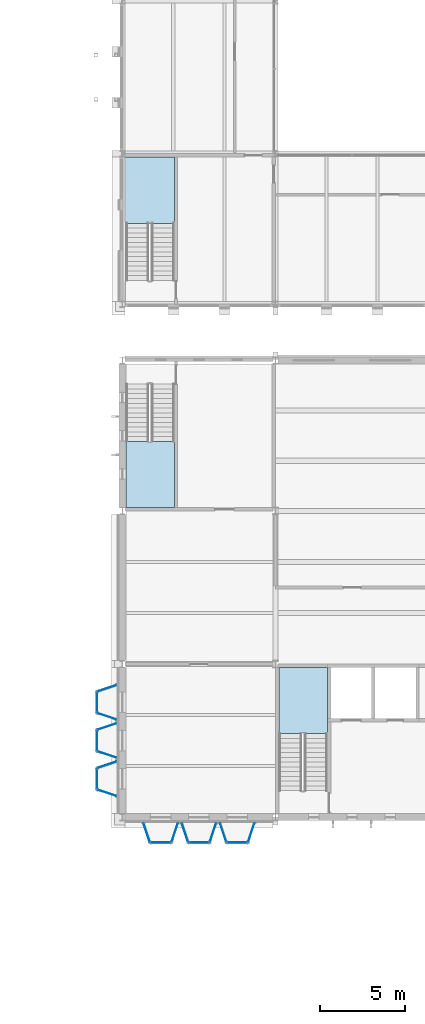
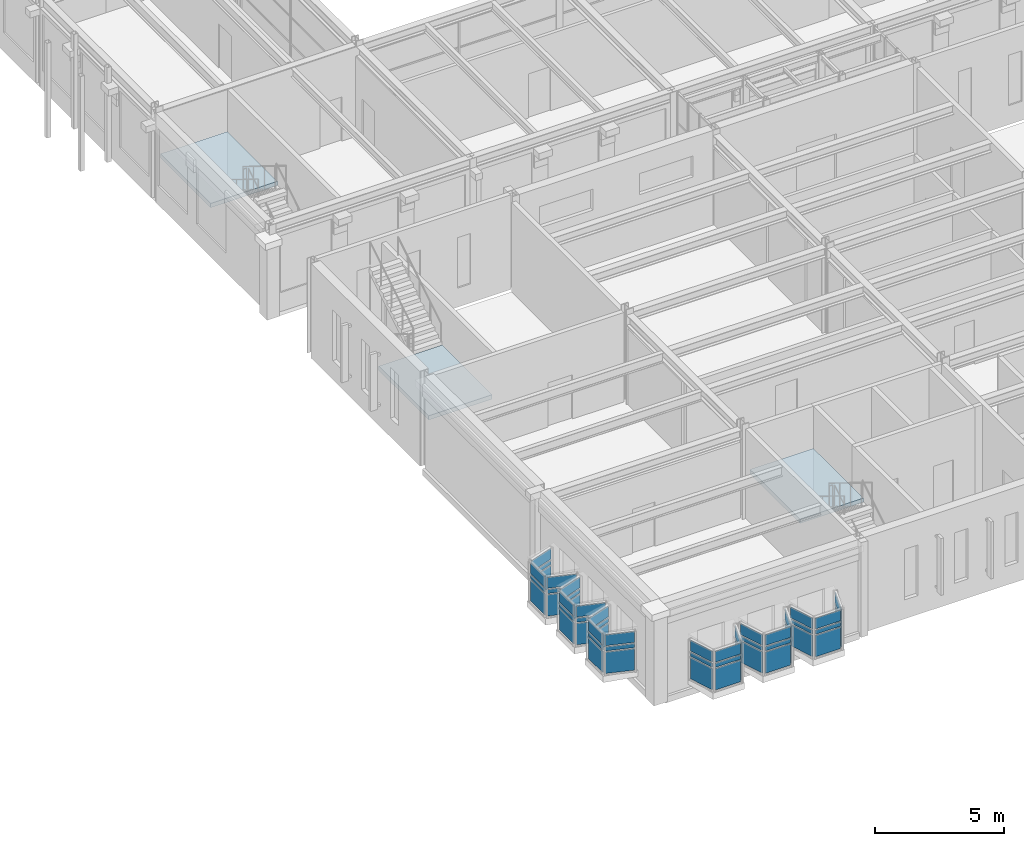
# One storey, part 82 of 153: 54 plates, 3 slabs, 21 elements without a shape of their own.
"""IFC4 building model written with IfcOpenShell, lengths in metres."""

from ifc_helpers import new_model, si_unit, direction, frame, origin, origin_2d, place, context, subcontext, project, spatial, polyline, rectangle, outline, extrude, material, layer, layer_set, type_object, element, aggregate, save


model = new_model("IFC4")

# Units and contexts
model_context = context("Model", 3, precision=1e-05, world=origin(), true_north=direction((0.0, 1.0)))
body_context = subcontext(model_context, "Body", "Model", "MODEL_VIEW")
ifc_project = project(units=[si_unit("LENGTHUNIT", "METRE"), si_unit("AREAUNIT", "SQUARE_METRE"), si_unit("VOLUMEUNIT", "CUBIC_METRE"), si_unit("PLANEANGLEUNIT", "RADIAN"), si_unit("MASSUNIT", "GRAM", prefix="KILO")], contexts=[model_context])

# Site, building, storey
site_placement = place(None, origin())
site = spatial("IfcSite", under=ifc_project, at=site_placement, CompositionType="ELEMENT")
building_placement = place(site_placement, origin())
building = spatial("IfcBuilding", under=site, at=building_placement, Name="Kallimachos Central Library", CompositionType="ELEMENT")
storey_placement = place(building_placement, frame((0.0, 0.0, 5.39990234375)))
storey = spatial("IfcBuildingStorey", under=building, at=storey_placement, Name="L01", CompositionType="ELEMENT", Elevation=5.39990234375)

# Curtain wall, plates
ifc_material_1 = material(Name="Laminated glass in anodised aluminium", Category="aluminium")
curtain_wall_type = type_object("IfcCurtainWallType", Name="Foyer curtain wall", PredefinedType="NOTDEFINED", material=ifc_material_1)
curtain_wall_1_placement = place(storey_placement, origin())
curtain_wall_1 = element("IfcCurtainWall", 1, at=curtain_wall_1_placement, inside=storey, type_object=curtain_wall_type, Name="Tribune bay return west", PredefinedType="NOTDEFINED")
ifc_material_2 = material(Name="Laminated glass", Category="glass")
ifc_layer_1 = layer(ifc_material_2, 0.028076171875)
ifc_layer_set_1 = layer_set([ifc_layer_1], Name="Curtain wall glass panel 28")
plate_type = type_object("IfcPlateType", Name="Curtain wall glass panel 28", PredefinedType="CURTAIN_PANEL", material=ifc_layer_set_1)
plate_1_placement = place(storey_placement, frame((66.925048828125, 17.10009765625, 0.66015625), z_axis=(0.0, 0.0, 1.0), x_axis=(0.316227766018, -0.94868329805, 0.0)))
plate_1 = element("IfcPlate", 2, at=plate_1_placement, type_object=plate_type, Name="CW panel 1.1", PredefinedType="CURTAIN_PANEL", context=body_context, shape_type="SweptSolid", body=[
    extrude(rectangle(XDim=1.14501953125, YDim=0.028076171875, at=origin_2d()), origin(), (0.0, 0.0, 1.0), 1.010009765625),
])
plate_2_placement = place(storey_placement, frame((66.925048828125, 17.10009765625, 1.730224609375), z_axis=(0.0, 0.0, 1.0), x_axis=(0.316227766018, -0.94868329805, 0.0)))
plate_2 = element("IfcPlate", 3, at=plate_2_placement, type_object=plate_type, Name="CW panel 1.2", PredefinedType="CURTAIN_PANEL", context=body_context, shape_type="SweptSolid", body=[
    extrude(rectangle(XDim=1.14501953125, YDim=0.028076171875, at=origin_2d()), origin(), (0.0, 0.0, 1.0), 0.18994140625),
])
plate_3_placement = place(storey_placement, frame((66.925048828125, 17.10009765625, 1.97998046875), z_axis=(0.0, 0.0, 1.0), x_axis=(0.316227766018, -0.94868329805, 0.0)))
plate_3 = element("IfcPlate", 4, at=plate_3_placement, type_object=plate_type, Name="CW panel 1.3", PredefinedType="CURTAIN_PANEL", context=body_context, shape_type="SweptSolid", body=[
    extrude(rectangle(XDim=1.14501953125, YDim=0.028076171875, at=origin_2d()), origin(), (0.0, 0.0, 1.0), 0.510009765625),
])
aggregate(curtain_wall_1, [plate_1, plate_2, plate_3])

curtain_wall_2_placement = place(storey_placement, origin())
curtain_wall_2 = element("IfcCurtainWall", 5, at=curtain_wall_2_placement, inside=storey, type_object=curtain_wall_type, Name="Tribune bay front", PredefinedType="NOTDEFINED")
plate_4_placement = place(storey_placement, frame((67.75, 16.5, 0.66015625), z_axis=(0.0, 0.0, 1.0), x_axis=(1.0, 0.0, 0.0)))
plate_4 = element("IfcPlate", 6, at=plate_4_placement, type_object=plate_type, Name="CW panel 1.1", PredefinedType="CURTAIN_PANEL", context=body_context, shape_type="SweptSolid", body=[
    extrude(rectangle(XDim=1.1298828125, YDim=0.028076171875, at=origin_2d()), origin(), (0.0, 0.0, 1.0), 1.010009765625),
])
plate_5_placement = place(storey_placement, frame((67.75, 16.5, 1.730224609375), z_axis=(0.0, 0.0, 1.0), x_axis=(1.0, 0.0, 0.0)))
plate_5 = element("IfcPlate", 7, at=plate_5_placement, type_object=plate_type, Name="CW panel 1.2", PredefinedType="CURTAIN_PANEL", context=body_context, shape_type="SweptSolid", body=[
    extrude(rectangle(XDim=1.1298828125, YDim=0.028076171875, at=origin_2d()), origin(), (0.0, 0.0, 1.0), 0.18994140625),
])
plate_6_placement = place(storey_placement, frame((67.75, 16.5, 1.97998046875), z_axis=(0.0, 0.0, 1.0), x_axis=(1.0, 0.0, 0.0)))
plate_6 = element("IfcPlate", 8, at=plate_6_placement, type_object=plate_type, Name="CW panel 1.3", PredefinedType="CURTAIN_PANEL", context=body_context, shape_type="SweptSolid", body=[
    extrude(rectangle(XDim=1.1298828125, YDim=0.028076171875, at=origin_2d()), origin(), (0.0, 0.0, 1.0), 0.510009765625),
])
aggregate(curtain_wall_2, [plate_4, plate_5, plate_6])

curtain_wall_3_placement = place(storey_placement, origin())
curtain_wall_3 = element("IfcCurtainWall", 9, at=curtain_wall_3_placement, inside=storey, type_object=curtain_wall_type, Name="Tribune bay return east", PredefinedType="NOTDEFINED")
plate_7_placement = place(storey_placement, frame((68.574951171875, 17.10009765625, 0.66015625), z_axis=(0.0, 0.0, 1.0), x_axis=(0.316227766018, 0.94868329805, 0.0)))
plate_7 = element("IfcPlate", 10, at=plate_7_placement, type_object=plate_type, Name="CW panel 1.1", PredefinedType="CURTAIN_PANEL", context=body_context, shape_type="SweptSolid", body=[
    extrude(rectangle(XDim=1.14501953125, YDim=0.028076171875, at=origin_2d()), origin(), (0.0, 0.0, 1.0), 1.010009765625),
])
plate_8_placement = place(storey_placement, frame((68.574951171875, 17.10009765625, 1.730224609375), z_axis=(0.0, 0.0, 1.0), x_axis=(0.316227766018, 0.94868329805, 0.0)))
plate_8 = element("IfcPlate", 11, at=plate_8_placement, type_object=plate_type, Name="CW panel 1.2", PredefinedType="CURTAIN_PANEL", context=body_context, shape_type="SweptSolid", body=[
    extrude(rectangle(XDim=1.14501953125, YDim=0.028076171875, at=origin_2d()), origin(), (0.0, 0.0, 1.0), 0.18994140625),
])
plate_9_placement = place(storey_placement, frame((68.574951171875, 17.10009765625, 1.97998046875), z_axis=(0.0, 0.0, 1.0), x_axis=(0.316227766018, 0.94868329805, 0.0)))
plate_9 = element("IfcPlate", 12, at=plate_9_placement, type_object=plate_type, Name="CW panel 1.3", PredefinedType="CURTAIN_PANEL", context=body_context, shape_type="SweptSolid", body=[
    extrude(rectangle(XDim=1.14501953125, YDim=0.028076171875, at=origin_2d()), origin(), (0.0, 0.0, 1.0), 0.510009765625),
])
aggregate(curtain_wall_3, [plate_7, plate_8, plate_9])

curtain_wall_4_placement = place(storey_placement, origin())
curtain_wall_4 = element("IfcCurtainWall", 13, at=curtain_wall_4_placement, inside=storey, type_object=curtain_wall_type, Name="Tribune bay return west", PredefinedType="NOTDEFINED")
plate_10_placement = place(storey_placement, frame((69.175048828125, 17.10009765625, 0.66015625), z_axis=(0.0, 0.0, 1.0), x_axis=(0.316227766018, -0.94868329805, 0.0)))
plate_10 = element("IfcPlate", 14, at=plate_10_placement, type_object=plate_type, Name="CW panel 1.1", PredefinedType="CURTAIN_PANEL", context=body_context, shape_type="SweptSolid", body=[
    extrude(rectangle(XDim=1.14501953125, YDim=0.028076171875, at=origin_2d()), origin(), (0.0, 0.0, 1.0), 1.010009765625),
])
plate_11_placement = place(storey_placement, frame((69.175048828125, 17.10009765625, 1.730224609375), z_axis=(0.0, 0.0, 1.0), x_axis=(0.316227766018, -0.94868329805, 0.0)))
plate_11 = element("IfcPlate", 15, at=plate_11_placement, type_object=plate_type, Name="CW panel 1.2", PredefinedType="CURTAIN_PANEL", context=body_context, shape_type="SweptSolid", body=[
    extrude(rectangle(XDim=1.14501953125, YDim=0.028076171875, at=origin_2d()), origin(), (0.0, 0.0, 1.0), 0.18994140625),
])
plate_12_placement = place(storey_placement, frame((69.175048828125, 17.10009765625, 1.97998046875), z_axis=(0.0, 0.0, 1.0), x_axis=(0.316227766018, -0.94868329805, 0.0)))
plate_12 = element("IfcPlate", 16, at=plate_12_placement, type_object=plate_type, Name="CW panel 1.3", PredefinedType="CURTAIN_PANEL", context=body_context, shape_type="SweptSolid", body=[
    extrude(rectangle(XDim=1.14501953125, YDim=0.028076171875, at=origin_2d()), origin(), (0.0, 0.0, 1.0), 0.510009765625),
])
aggregate(curtain_wall_4, [plate_10, plate_11, plate_12])

curtain_wall_5_placement = place(storey_placement, origin())
curtain_wall_5 = element("IfcCurtainWall", 17, at=curtain_wall_5_placement, inside=storey, type_object=curtain_wall_type, Name="Tribune bay front", PredefinedType="NOTDEFINED")
plate_13_placement = place(storey_placement, frame((70.0, 16.5, 0.66015625), z_axis=(0.0, 0.0, 1.0), x_axis=(1.0, 0.0, 0.0)))
plate_13 = element("IfcPlate", 18, at=plate_13_placement, type_object=plate_type, Name="CW panel 1.1", PredefinedType="CURTAIN_PANEL", context=body_context, shape_type="SweptSolid", body=[
    extrude(rectangle(XDim=1.1298828125, YDim=0.028076171875, at=origin_2d()), origin(), (0.0, 0.0, 1.0), 1.010009765625),
])
plate_14_placement = place(storey_placement, frame((70.0, 16.5, 1.730224609375), z_axis=(0.0, 0.0, 1.0), x_axis=(1.0, 0.0, 0.0)))
plate_14 = element("IfcPlate", 19, at=plate_14_placement, type_object=plate_type, Name="CW panel 1.2", PredefinedType="CURTAIN_PANEL", context=body_context, shape_type="SweptSolid", body=[
    extrude(rectangle(XDim=1.1298828125, YDim=0.028076171875, at=origin_2d()), origin(), (0.0, 0.0, 1.0), 0.18994140625),
])
plate_15_placement = place(storey_placement, frame((70.0, 16.5, 1.97998046875), z_axis=(0.0, 0.0, 1.0), x_axis=(1.0, 0.0, 0.0)))
plate_15 = element("IfcPlate", 20, at=plate_15_placement, type_object=plate_type, Name="CW panel 1.3", PredefinedType="CURTAIN_PANEL", context=body_context, shape_type="SweptSolid", body=[
    extrude(rectangle(XDim=1.1298828125, YDim=0.028076171875, at=origin_2d()), origin(), (0.0, 0.0, 1.0), 0.510009765625),
])
aggregate(curtain_wall_5, [plate_13, plate_14, plate_15])

curtain_wall_6_placement = place(storey_placement, origin())
curtain_wall_6 = element("IfcCurtainWall", 21, at=curtain_wall_6_placement, inside=storey, type_object=curtain_wall_type, Name="Tribune bay return east", PredefinedType="NOTDEFINED")
plate_16_placement = place(storey_placement, frame((70.824951171875, 17.10009765625, 0.66015625), z_axis=(0.0, 0.0, 1.0), x_axis=(0.316227766018, 0.94868329805, 0.0)))
plate_16 = element("IfcPlate", 22, at=plate_16_placement, type_object=plate_type, Name="CW panel 1.1", PredefinedType="CURTAIN_PANEL", context=body_context, shape_type="SweptSolid", body=[
    extrude(rectangle(XDim=1.14501953125, YDim=0.028076171875, at=origin_2d()), origin(), (0.0, 0.0, 1.0), 1.010009765625),
])
plate_17_placement = place(storey_placement, frame((70.824951171875, 17.10009765625, 1.730224609375), z_axis=(0.0, 0.0, 1.0), x_axis=(0.316227766018, 0.94868329805, 0.0)))
plate_17 = element("IfcPlate", 23, at=plate_17_placement, type_object=plate_type, Name="CW panel 1.2", PredefinedType="CURTAIN_PANEL", context=body_context, shape_type="SweptSolid", body=[
    extrude(rectangle(XDim=1.14501953125, YDim=0.028076171875, at=origin_2d()), origin(), (0.0, 0.0, 1.0), 0.18994140625),
])
plate_18_placement = place(storey_placement, frame((70.824951171875, 17.10009765625, 1.97998046875), z_axis=(0.0, 0.0, 1.0), x_axis=(0.316227766018, 0.94868329805, 0.0)))
plate_18 = element("IfcPlate", 24, at=plate_18_placement, type_object=plate_type, Name="CW panel 1.3", PredefinedType="CURTAIN_PANEL", context=body_context, shape_type="SweptSolid", body=[
    extrude(rectangle(XDim=1.14501953125, YDim=0.028076171875, at=origin_2d()), origin(), (0.0, 0.0, 1.0), 0.510009765625),
])
aggregate(curtain_wall_6, [plate_16, plate_17, plate_18])

curtain_wall_7_placement = place(storey_placement, origin())
curtain_wall_7 = element("IfcCurtainWall", 25, at=curtain_wall_7_placement, inside=storey, type_object=curtain_wall_type, Name="Tribune bay return west", PredefinedType="NOTDEFINED")
plate_19_placement = place(storey_placement, frame((71.425048828125, 17.10009765625, 0.66015625), z_axis=(0.0, 0.0, 1.0), x_axis=(0.316227766018, -0.94868329805, 0.0)))
plate_19 = element("IfcPlate", 26, at=plate_19_placement, type_object=plate_type, Name="CW panel 1.1", PredefinedType="CURTAIN_PANEL", context=body_context, shape_type="SweptSolid", body=[
    extrude(rectangle(XDim=1.14501953125, YDim=0.028076171875, at=origin_2d()), origin(), (0.0, 0.0, 1.0), 1.010009765625),
])
plate_20_placement = place(storey_placement, frame((71.425048828125, 17.10009765625, 1.730224609375), z_axis=(0.0, 0.0, 1.0), x_axis=(0.316227766018, -0.94868329805, 0.0)))
plate_20 = element("IfcPlate", 27, at=plate_20_placement, type_object=plate_type, Name="CW panel 1.2", PredefinedType="CURTAIN_PANEL", context=body_context, shape_type="SweptSolid", body=[
    extrude(rectangle(XDim=1.14501953125, YDim=0.028076171875, at=origin_2d()), origin(), (0.0, 0.0, 1.0), 0.18994140625),
])
plate_21_placement = place(storey_placement, frame((71.425048828125, 17.10009765625, 1.97998046875), z_axis=(0.0, 0.0, 1.0), x_axis=(0.316227766018, -0.94868329805, 0.0)))
plate_21 = element("IfcPlate", 28, at=plate_21_placement, type_object=plate_type, Name="CW panel 1.3", PredefinedType="CURTAIN_PANEL", context=body_context, shape_type="SweptSolid", body=[
    extrude(rectangle(XDim=1.14501953125, YDim=0.028076171875, at=origin_2d()), origin(), (0.0, 0.0, 1.0), 0.510009765625),
])
aggregate(curtain_wall_7, [plate_19, plate_20, plate_21])

curtain_wall_8_placement = place(storey_placement, origin())
curtain_wall_8 = element("IfcCurtainWall", 29, at=curtain_wall_8_placement, inside=storey, type_object=curtain_wall_type, Name="Tribune bay front", PredefinedType="NOTDEFINED")
plate_22_placement = place(storey_placement, frame((72.25, 16.5, 0.66015625), z_axis=(0.0, 0.0, 1.0), x_axis=(1.0, 0.0, 0.0)))
plate_22 = element("IfcPlate", 30, at=plate_22_placement, type_object=plate_type, Name="CW panel 1.1", PredefinedType="CURTAIN_PANEL", context=body_context, shape_type="SweptSolid", body=[
    extrude(rectangle(XDim=1.1298828125, YDim=0.028076171875, at=origin_2d()), origin(), (0.0, 0.0, 1.0), 1.010009765625),
])
plate_23_placement = place(storey_placement, frame((72.25, 16.5, 1.730224609375), z_axis=(0.0, 0.0, 1.0), x_axis=(1.0, 0.0, 0.0)))
plate_23 = element("IfcPlate", 31, at=plate_23_placement, type_object=plate_type, Name="CW panel 1.2", PredefinedType="CURTAIN_PANEL", context=body_context, shape_type="SweptSolid", body=[
    extrude(rectangle(XDim=1.1298828125, YDim=0.028076171875, at=origin_2d()), origin(), (0.0, 0.0, 1.0), 0.18994140625),
])
plate_24_placement = place(storey_placement, frame((72.25, 16.5, 1.97998046875), z_axis=(0.0, 0.0, 1.0), x_axis=(1.0, 0.0, 0.0)))
plate_24 = element("IfcPlate", 32, at=plate_24_placement, type_object=plate_type, Name="CW panel 1.3", PredefinedType="CURTAIN_PANEL", context=body_context, shape_type="SweptSolid", body=[
    extrude(rectangle(XDim=1.1298828125, YDim=0.028076171875, at=origin_2d()), origin(), (0.0, 0.0, 1.0), 0.510009765625),
])
aggregate(curtain_wall_8, [plate_22, plate_23, plate_24])

curtain_wall_9_placement = place(storey_placement, origin())
curtain_wall_9 = element("IfcCurtainWall", 33, at=curtain_wall_9_placement, inside=storey, type_object=curtain_wall_type, Name="Tribune bay return east", PredefinedType="NOTDEFINED")
plate_25_placement = place(storey_placement, frame((73.074951171875, 17.10009765625, 0.66015625), z_axis=(0.0, 0.0, 1.0), x_axis=(0.316227766018, 0.94868329805, 0.0)))
plate_25 = element("IfcPlate", 34, at=plate_25_placement, type_object=plate_type, Name="CW panel 1.1", PredefinedType="CURTAIN_PANEL", context=body_context, shape_type="SweptSolid", body=[
    extrude(rectangle(XDim=1.14501953125, YDim=0.028076171875, at=origin_2d()), origin(), (0.0, 0.0, 1.0), 1.010009765625),
])
plate_26_placement = place(storey_placement, frame((73.074951171875, 17.10009765625, 1.730224609375), z_axis=(0.0, 0.0, 1.0), x_axis=(0.316227766018, 0.94868329805, 0.0)))
plate_26 = element("IfcPlate", 35, at=plate_26_placement, type_object=plate_type, Name="CW panel 1.2", PredefinedType="CURTAIN_PANEL", context=body_context, shape_type="SweptSolid", body=[
    extrude(rectangle(XDim=1.14501953125, YDim=0.028076171875, at=origin_2d()), origin(), (0.0, 0.0, 1.0), 0.18994140625),
])
plate_27_placement = place(storey_placement, frame((73.074951171875, 17.10009765625, 1.97998046875), z_axis=(0.0, 0.0, 1.0), x_axis=(0.316227766018, 0.94868329805, 0.0)))
plate_27 = element("IfcPlate", 36, at=plate_27_placement, type_object=plate_type, Name="CW panel 1.3", PredefinedType="CURTAIN_PANEL", context=body_context, shape_type="SweptSolid", body=[
    extrude(rectangle(XDim=1.14501953125, YDim=0.028076171875, at=origin_2d()), origin(), (0.0, 0.0, 1.0), 0.510009765625),
])
aggregate(curtain_wall_9, [plate_25, plate_26, plate_27])

curtain_wall_10_placement = place(storey_placement, origin())
curtain_wall_10 = element("IfcCurtainWall", 37, at=curtain_wall_10_placement, inside=storey, type_object=curtain_wall_type, Name="Tribune bay return west", PredefinedType="NOTDEFINED")
plate_28_placement = place(storey_placement, frame((64.60009765625, 19.425048828125, 0.66015625), z_axis=(0.0, 0.0, 1.0), x_axis=(-0.94868329805, 0.316227766018, 0.0)))
plate_28 = element("IfcPlate", 38, at=plate_28_placement, type_object=plate_type, Name="CW panel 1.1", PredefinedType="CURTAIN_PANEL", context=body_context, shape_type="SweptSolid", body=[
    extrude(rectangle(XDim=1.14501953125, YDim=0.028076171875, at=origin_2d()), origin(), (0.0, 0.0, 1.0), 1.010009765625),
])
plate_29_placement = place(storey_placement, frame((64.60009765625, 19.425048828125, 1.730224609375), z_axis=(0.0, 0.0, 1.0), x_axis=(-0.94868329805, 0.316227766018, 0.0)))
plate_29 = element("IfcPlate", 39, at=plate_29_placement, type_object=plate_type, Name="CW panel 1.2", PredefinedType="CURTAIN_PANEL", context=body_context, shape_type="SweptSolid", body=[
    extrude(rectangle(XDim=1.14501953125, YDim=0.028076171875, at=origin_2d()), origin(), (0.0, 0.0, 1.0), 0.18994140625),
])
plate_30_placement = place(storey_placement, frame((64.60009765625, 19.425048828125, 1.97998046875), z_axis=(0.0, 0.0, 1.0), x_axis=(-0.94868329805, 0.316227766018, 0.0)))
plate_30 = element("IfcPlate", 40, at=plate_30_placement, type_object=plate_type, Name="CW panel 1.3", PredefinedType="CURTAIN_PANEL", context=body_context, shape_type="SweptSolid", body=[
    extrude(rectangle(XDim=1.14501953125, YDim=0.028076171875, at=origin_2d()), origin(), (0.0, 0.0, 1.0), 0.510009765625),
])
aggregate(curtain_wall_10, [plate_28, plate_29, plate_30])

curtain_wall_11_placement = place(storey_placement, origin())
curtain_wall_11 = element("IfcCurtainWall", 41, at=curtain_wall_11_placement, inside=storey, type_object=curtain_wall_type, Name="Tribune bay front", PredefinedType="NOTDEFINED")
plate_31_placement = place(storey_placement, frame((64.0, 20.25, 0.66015625), z_axis=(0.0, 0.0, 1.0), x_axis=(0.0, 1.0, 0.0)))
plate_31 = element("IfcPlate", 42, at=plate_31_placement, type_object=plate_type, Name="CW panel 1.1", PredefinedType="CURTAIN_PANEL", context=body_context, shape_type="SweptSolid", body=[
    extrude(rectangle(XDim=1.1298828125, YDim=0.028076171875, at=origin_2d()), origin(), (0.0, 0.0, 1.0), 1.010009765625),
])
plate_32_placement = place(storey_placement, frame((64.0, 20.25, 1.730224609375), z_axis=(0.0, 0.0, 1.0), x_axis=(0.0, 1.0, 0.0)))
plate_32 = element("IfcPlate", 43, at=plate_32_placement, type_object=plate_type, Name="CW panel 1.2", PredefinedType="CURTAIN_PANEL", context=body_context, shape_type="SweptSolid", body=[
    extrude(rectangle(XDim=1.1298828125, YDim=0.028076171875, at=origin_2d()), origin(), (0.0, 0.0, 1.0), 0.18994140625),
])
plate_33_placement = place(storey_placement, frame((64.0, 20.25, 1.97998046875), z_axis=(0.0, 0.0, 1.0), x_axis=(0.0, 1.0, 0.0)))
plate_33 = element("IfcPlate", 44, at=plate_33_placement, type_object=plate_type, Name="CW panel 1.3", PredefinedType="CURTAIN_PANEL", context=body_context, shape_type="SweptSolid", body=[
    extrude(rectangle(XDim=1.1298828125, YDim=0.028076171875, at=origin_2d()), origin(), (0.0, 0.0, 1.0), 0.510009765625),
])
aggregate(curtain_wall_11, [plate_31, plate_32, plate_33])

curtain_wall_12_placement = place(storey_placement, origin())
curtain_wall_12 = element("IfcCurtainWall", 45, at=curtain_wall_12_placement, inside=storey, type_object=curtain_wall_type, Name="Tribune bay return east", PredefinedType="NOTDEFINED")
plate_34_placement = place(storey_placement, frame((64.60009765625, 21.074951171875, 0.66015625), z_axis=(0.0, 0.0, 1.0), x_axis=(0.94868329805, 0.316227766018, 0.0)))
plate_34 = element("IfcPlate", 46, at=plate_34_placement, type_object=plate_type, Name="CW panel 1.1", PredefinedType="CURTAIN_PANEL", context=body_context, shape_type="SweptSolid", body=[
    extrude(rectangle(XDim=1.14501953125, YDim=0.028076171875, at=origin_2d()), origin(), (0.0, 0.0, 1.0), 1.010009765625),
])
plate_35_placement = place(storey_placement, frame((64.60009765625, 21.074951171875, 1.730224609375), z_axis=(0.0, 0.0, 1.0), x_axis=(0.94868329805, 0.316227766018, 0.0)))
plate_35 = element("IfcPlate", 47, at=plate_35_placement, type_object=plate_type, Name="CW panel 1.2", PredefinedType="CURTAIN_PANEL", context=body_context, shape_type="SweptSolid", body=[
    extrude(rectangle(XDim=1.14501953125, YDim=0.028076171875, at=origin_2d()), origin(), (0.0, 0.0, 1.0), 0.18994140625),
])
plate_36_placement = place(storey_placement, frame((64.60009765625, 21.074951171875, 1.97998046875), z_axis=(0.0, 0.0, 1.0), x_axis=(0.94868329805, 0.316227766018, 0.0)))
plate_36 = element("IfcPlate", 48, at=plate_36_placement, type_object=plate_type, Name="CW panel 1.3", PredefinedType="CURTAIN_PANEL", context=body_context, shape_type="SweptSolid", body=[
    extrude(rectangle(XDim=1.14501953125, YDim=0.028076171875, at=origin_2d()), origin(), (0.0, 0.0, 1.0), 0.510009765625),
])
aggregate(curtain_wall_12, [plate_34, plate_35, plate_36])

curtain_wall_13_placement = place(storey_placement, origin())
curtain_wall_13 = element("IfcCurtainWall", 49, at=curtain_wall_13_placement, inside=storey, type_object=curtain_wall_type, Name="Tribune bay return west", PredefinedType="NOTDEFINED")
plate_37_placement = place(storey_placement, frame((64.60009765625, 21.675048828125, 0.66015625), z_axis=(0.0, 0.0, 1.0), x_axis=(-0.94868329805, 0.316227766018, 0.0)))
plate_37 = element("IfcPlate", 50, at=plate_37_placement, type_object=plate_type, Name="CW panel 1.1", PredefinedType="CURTAIN_PANEL", context=body_context, shape_type="SweptSolid", body=[
    extrude(rectangle(XDim=1.14501953125, YDim=0.028076171875, at=origin_2d()), origin(), (0.0, 0.0, 1.0), 1.010009765625),
])
plate_38_placement = place(storey_placement, frame((64.60009765625, 21.675048828125, 1.730224609375), z_axis=(0.0, 0.0, 1.0), x_axis=(-0.94868329805, 0.316227766018, 0.0)))
plate_38 = element("IfcPlate", 51, at=plate_38_placement, type_object=plate_type, Name="CW panel 1.2", PredefinedType="CURTAIN_PANEL", context=body_context, shape_type="SweptSolid", body=[
    extrude(rectangle(XDim=1.14501953125, YDim=0.028076171875, at=origin_2d()), origin(), (0.0, 0.0, 1.0), 0.18994140625),
])
plate_39_placement = place(storey_placement, frame((64.60009765625, 21.675048828125, 1.97998046875), z_axis=(0.0, 0.0, 1.0), x_axis=(-0.94868329805, 0.316227766018, 0.0)))
plate_39 = element("IfcPlate", 52, at=plate_39_placement, type_object=plate_type, Name="CW panel 1.3", PredefinedType="CURTAIN_PANEL", context=body_context, shape_type="SweptSolid", body=[
    extrude(rectangle(XDim=1.14501953125, YDim=0.028076171875, at=origin_2d()), origin(), (0.0, 0.0, 1.0), 0.510009765625),
])
aggregate(curtain_wall_13, [plate_37, plate_38, plate_39])

curtain_wall_14_placement = place(storey_placement, origin())
curtain_wall_14 = element("IfcCurtainWall", 53, at=curtain_wall_14_placement, inside=storey, type_object=curtain_wall_type, Name="Tribune bay front", PredefinedType="NOTDEFINED")
plate_40_placement = place(storey_placement, frame((64.0, 22.5, 0.66015625), z_axis=(0.0, 0.0, 1.0), x_axis=(0.0, 1.0, 0.0)))
plate_40 = element("IfcPlate", 54, at=plate_40_placement, type_object=plate_type, Name="CW panel 1.1", PredefinedType="CURTAIN_PANEL", context=body_context, shape_type="SweptSolid", body=[
    extrude(rectangle(XDim=1.1298828125, YDim=0.028076171875, at=origin_2d()), origin(), (0.0, 0.0, 1.0), 1.010009765625),
])
plate_41_placement = place(storey_placement, frame((64.0, 22.5, 1.730224609375), z_axis=(0.0, 0.0, 1.0), x_axis=(0.0, 1.0, 0.0)))
plate_41 = element("IfcPlate", 55, at=plate_41_placement, type_object=plate_type, Name="CW panel 1.2", PredefinedType="CURTAIN_PANEL", context=body_context, shape_type="SweptSolid", body=[
    extrude(rectangle(XDim=1.1298828125, YDim=0.028076171875, at=origin_2d()), origin(), (0.0, 0.0, 1.0), 0.18994140625),
])
plate_42_placement = place(storey_placement, frame((64.0, 22.5, 1.97998046875), z_axis=(0.0, 0.0, 1.0), x_axis=(0.0, 1.0, 0.0)))
plate_42 = element("IfcPlate", 56, at=plate_42_placement, type_object=plate_type, Name="CW panel 1.3", PredefinedType="CURTAIN_PANEL", context=body_context, shape_type="SweptSolid", body=[
    extrude(rectangle(XDim=1.1298828125, YDim=0.028076171875, at=origin_2d()), origin(), (0.0, 0.0, 1.0), 0.510009765625),
])
aggregate(curtain_wall_14, [plate_40, plate_41, plate_42])

curtain_wall_15_placement = place(storey_placement, origin())
curtain_wall_15 = element("IfcCurtainWall", 57, at=curtain_wall_15_placement, inside=storey, type_object=curtain_wall_type, Name="Tribune bay return east", PredefinedType="NOTDEFINED")
plate_43_placement = place(storey_placement, frame((64.60009765625, 23.324951171875, 0.66015625), z_axis=(0.0, 0.0, 1.0), x_axis=(0.94868329805, 0.316227766018, 0.0)))
plate_43 = element("IfcPlate", 58, at=plate_43_placement, type_object=plate_type, Name="CW panel 1.1", PredefinedType="CURTAIN_PANEL", context=body_context, shape_type="SweptSolid", body=[
    extrude(rectangle(XDim=1.14501953125, YDim=0.028076171875, at=origin_2d()), origin(), (0.0, 0.0, 1.0), 1.010009765625),
])
plate_44_placement = place(storey_placement, frame((64.60009765625, 23.324951171875, 1.730224609375), z_axis=(0.0, 0.0, 1.0), x_axis=(0.94868329805, 0.316227766018, 0.0)))
plate_44 = element("IfcPlate", 59, at=plate_44_placement, type_object=plate_type, Name="CW panel 1.2", PredefinedType="CURTAIN_PANEL", context=body_context, shape_type="SweptSolid", body=[
    extrude(rectangle(XDim=1.14501953125, YDim=0.028076171875, at=origin_2d()), origin(), (0.0, 0.0, 1.0), 0.18994140625),
])
plate_45_placement = place(storey_placement, frame((64.60009765625, 23.324951171875, 1.97998046875), z_axis=(0.0, 0.0, 1.0), x_axis=(0.94868329805, 0.316227766018, 0.0)))
plate_45 = element("IfcPlate", 60, at=plate_45_placement, type_object=plate_type, Name="CW panel 1.3", PredefinedType="CURTAIN_PANEL", context=body_context, shape_type="SweptSolid", body=[
    extrude(rectangle(XDim=1.14501953125, YDim=0.028076171875, at=origin_2d()), origin(), (0.0, 0.0, 1.0), 0.510009765625),
])
aggregate(curtain_wall_15, [plate_43, plate_44, plate_45])

curtain_wall_16_placement = place(storey_placement, origin())
curtain_wall_16 = element("IfcCurtainWall", 61, at=curtain_wall_16_placement, inside=storey, type_object=curtain_wall_type, Name="Tribune bay return west", PredefinedType="NOTDEFINED")
plate_46_placement = place(storey_placement, frame((64.60009765625, 23.925048828125, 0.66015625), z_axis=(0.0, 0.0, 1.0), x_axis=(-0.94868329805, 0.316227766018, 0.0)))
plate_46 = element("IfcPlate", 62, at=plate_46_placement, type_object=plate_type, Name="CW panel 1.1", PredefinedType="CURTAIN_PANEL", context=body_context, shape_type="SweptSolid", body=[
    extrude(rectangle(XDim=1.14501953125, YDim=0.028076171875, at=origin_2d()), origin(), (0.0, 0.0, 1.0), 1.010009765625),
])
plate_47_placement = place(storey_placement, frame((64.60009765625, 23.925048828125, 1.730224609375), z_axis=(0.0, 0.0, 1.0), x_axis=(-0.94868329805, 0.316227766018, 0.0)))
plate_47 = element("IfcPlate", 63, at=plate_47_placement, type_object=plate_type, Name="CW panel 1.2", PredefinedType="CURTAIN_PANEL", context=body_context, shape_type="SweptSolid", body=[
    extrude(rectangle(XDim=1.14501953125, YDim=0.028076171875, at=origin_2d()), origin(), (0.0, 0.0, 1.0), 0.18994140625),
])
plate_48_placement = place(storey_placement, frame((64.60009765625, 23.925048828125, 1.97998046875), z_axis=(0.0, 0.0, 1.0), x_axis=(-0.94868329805, 0.316227766018, 0.0)))
plate_48 = element("IfcPlate", 64, at=plate_48_placement, type_object=plate_type, Name="CW panel 1.3", PredefinedType="CURTAIN_PANEL", context=body_context, shape_type="SweptSolid", body=[
    extrude(rectangle(XDim=1.14501953125, YDim=0.028076171875, at=origin_2d()), origin(), (0.0, 0.0, 1.0), 0.510009765625),
])
aggregate(curtain_wall_16, [plate_46, plate_47, plate_48])

curtain_wall_17_placement = place(storey_placement, origin())
curtain_wall_17 = element("IfcCurtainWall", 65, at=curtain_wall_17_placement, inside=storey, type_object=curtain_wall_type, Name="Tribune bay front", PredefinedType="NOTDEFINED")
plate_49_placement = place(storey_placement, frame((64.0, 24.75, 0.66015625), z_axis=(0.0, 0.0, 1.0), x_axis=(0.0, 1.0, 0.0)))
plate_49 = element("IfcPlate", 66, at=plate_49_placement, type_object=plate_type, Name="CW panel 1.1", PredefinedType="CURTAIN_PANEL", context=body_context, shape_type="SweptSolid", body=[
    extrude(rectangle(XDim=1.1298828125, YDim=0.028076171875, at=origin_2d()), origin(), (0.0, 0.0, 1.0), 1.010009765625),
])
plate_50_placement = place(storey_placement, frame((64.0, 24.75, 1.730224609375), z_axis=(0.0, 0.0, 1.0), x_axis=(0.0, 1.0, 0.0)))
plate_50 = element("IfcPlate", 67, at=plate_50_placement, type_object=plate_type, Name="CW panel 1.2", PredefinedType="CURTAIN_PANEL", context=body_context, shape_type="SweptSolid", body=[
    extrude(rectangle(XDim=1.1298828125, YDim=0.028076171875, at=origin_2d()), origin(), (0.0, 0.0, 1.0), 0.18994140625),
])
plate_51_placement = place(storey_placement, frame((64.0, 24.75, 1.97998046875), z_axis=(0.0, 0.0, 1.0), x_axis=(0.0, 1.0, 0.0)))
plate_51 = element("IfcPlate", 68, at=plate_51_placement, type_object=plate_type, Name="CW panel 1.3", PredefinedType="CURTAIN_PANEL", context=body_context, shape_type="SweptSolid", body=[
    extrude(rectangle(XDim=1.1298828125, YDim=0.028076171875, at=origin_2d()), origin(), (0.0, 0.0, 1.0), 0.510009765625),
])
aggregate(curtain_wall_17, [plate_49, plate_50, plate_51])

curtain_wall_18_placement = place(storey_placement, origin())
curtain_wall_18 = element("IfcCurtainWall", 69, at=curtain_wall_18_placement, inside=storey, type_object=curtain_wall_type, Name="Tribune bay return east", PredefinedType="NOTDEFINED")
plate_52_placement = place(storey_placement, frame((64.60009765625, 25.574951171875, 0.66015625), z_axis=(0.0, 0.0, 1.0), x_axis=(0.94868329805, 0.316227766018, 0.0)))
plate_52 = element("IfcPlate", 70, at=plate_52_placement, type_object=plate_type, Name="CW panel 1.1", PredefinedType="CURTAIN_PANEL", context=body_context, shape_type="SweptSolid", body=[
    extrude(rectangle(XDim=1.14501953125, YDim=0.028076171875, at=origin_2d()), origin(), (0.0, 0.0, 1.0), 1.010009765625),
])
plate_53_placement = place(storey_placement, frame((64.60009765625, 25.574951171875, 1.730224609375), z_axis=(0.0, 0.0, 1.0), x_axis=(0.94868329805, 0.316227766018, 0.0)))
plate_53 = element("IfcPlate", 71, at=plate_53_placement, type_object=plate_type, Name="CW panel 1.2", PredefinedType="CURTAIN_PANEL", context=body_context, shape_type="SweptSolid", body=[
    extrude(rectangle(XDim=1.14501953125, YDim=0.028076171875, at=origin_2d()), origin(), (0.0, 0.0, 1.0), 0.18994140625),
])
plate_54_placement = place(storey_placement, frame((64.60009765625, 25.574951171875, 1.97998046875), z_axis=(0.0, 0.0, 1.0), x_axis=(0.94868329805, 0.316227766018, 0.0)))
plate_54 = element("IfcPlate", 72, at=plate_54_placement, type_object=plate_type, Name="CW panel 1.3", PredefinedType="CURTAIN_PANEL", context=body_context, shape_type="SweptSolid", body=[
    extrude(rectangle(XDim=1.14501953125, YDim=0.028076171875, at=origin_2d()), origin(), (0.0, 0.0, 1.0), 0.510009765625),
])
aggregate(curtain_wall_18, [plate_52, plate_53, plate_54])

# Stair, slab
ifc_material_3 = material(Name="Concrete C30/37", Category="concrete")
stair_type_1 = type_object("IfcStairType", Name="Escape stair", PredefinedType="HALF_TURN_STAIR", material=ifc_material_3)
stair_1_placement = place(storey_placement, origin())
stair_1 = element("IfcStair", 73, at=stair_1_placement, inside=storey, type_object=stair_type_1, Name="L01 stair ST11", PredefinedType="HALF_TURN_STAIR")
ifc_material_4 = material(Name="Concrete C30/37", Category="concrete")
ifc_layer_2 = layer(ifc_material_4, 0.199951171875)
ifc_layer_set_2 = layer_set([ifc_layer_2], Name="Stair landing")
slab_type_1 = type_object("IfcSlabType", Name="Stair landing", PredefinedType="LANDING", material=ifc_layer_set_2)
slab_1_placement = place(storey_placement, frame((0.0, 0.0, 2.050048828125)))
slab_1 = element("IfcSlab", 74, at=slab_1_placement, type_object=slab_type_1, Name="ST11 landing 1", PredefinedType="LANDING", context=body_context, shape_type="SweptSolid", body=[
    extrude(outline(polyline([(65.550048828125, 52.909912109375), (68.550048828125, 52.909912109375), (68.550048828125, 56.800048828125), (65.550048828125, 56.800048828125), (65.550048828125, 52.909912109375)])), origin(), (0.0, 0.0, 1.0), 0.199951171875),
])
aggregate(stair_1, [slab_1])

ifc_material_5 = material(Name="Concrete C30/37", Category="concrete")
stair_type_2 = type_object("IfcStairType", Name="Concrete stair 1350", PredefinedType="HALF_TURN_STAIR", material=ifc_material_5)
stair_2_placement = place(storey_placement, origin())
stair_2 = element("IfcStair", 75, at=stair_2_placement, inside=storey, type_object=stair_type_2, Name="L01 stair ST13", PredefinedType="HALF_TURN_STAIR")
ifc_material_6 = material(Name="Concrete C30/37", Category="concrete")
ifc_layer_3 = layer(ifc_material_6, 0.199951171875)
ifc_layer_set_3 = layer_set([ifc_layer_3], Name="Stair landing slab 200")
slab_type_2 = type_object("IfcSlabType", Name="Stair landing slab 200", PredefinedType="LANDING", material=ifc_layer_set_3)
slab_2_placement = place(storey_placement, frame((0.0, 0.0, 2.050048828125)))
slab_2 = element("IfcSlab", 76, at=slab_2_placement, type_object=slab_type_2, Name="ST13 landing 1", PredefinedType="LANDING", context=body_context, shape_type="SweptSolid", body=[
    extrude(outline(polyline([(77.550048828125, 22.909912109375), (77.550048828125, 26.800048828125), (74.699951171875, 26.800048828125), (74.699951171875, 22.909912109375), (77.550048828125, 22.909912109375)])), origin(), (0.0, 0.0, 1.0), 0.199951171875),
])
aggregate(stair_2, [slab_2])

stair_3_placement = place(storey_placement, origin())
stair_3 = element("IfcStair", 77, at=stair_3_placement, inside=storey, type_object=stair_type_2, Name="L01 stair ST15", PredefinedType="HALF_TURN_STAIR")
slab_3_placement = place(storey_placement, frame((0.0, 0.0, 2.050048828125)))
slab_3 = element("IfcSlab", 78, at=slab_3_placement, type_object=slab_type_2, Name="ST15 landing 1", PredefinedType="LANDING", context=body_context, shape_type="SweptSolid", body=[
    extrude(outline(polyline([(65.699951171875, 40.090087890625), (65.699951171875, 36.199951171875), (68.550048828125, 36.199951171875), (68.550048828125, 40.090087890625), (65.699951171875, 40.090087890625)])), origin(), (0.0, 0.0, 1.0), 0.199951171875),
])
aggregate(stair_3, [slab_3])

save(model, "model.ifc")
